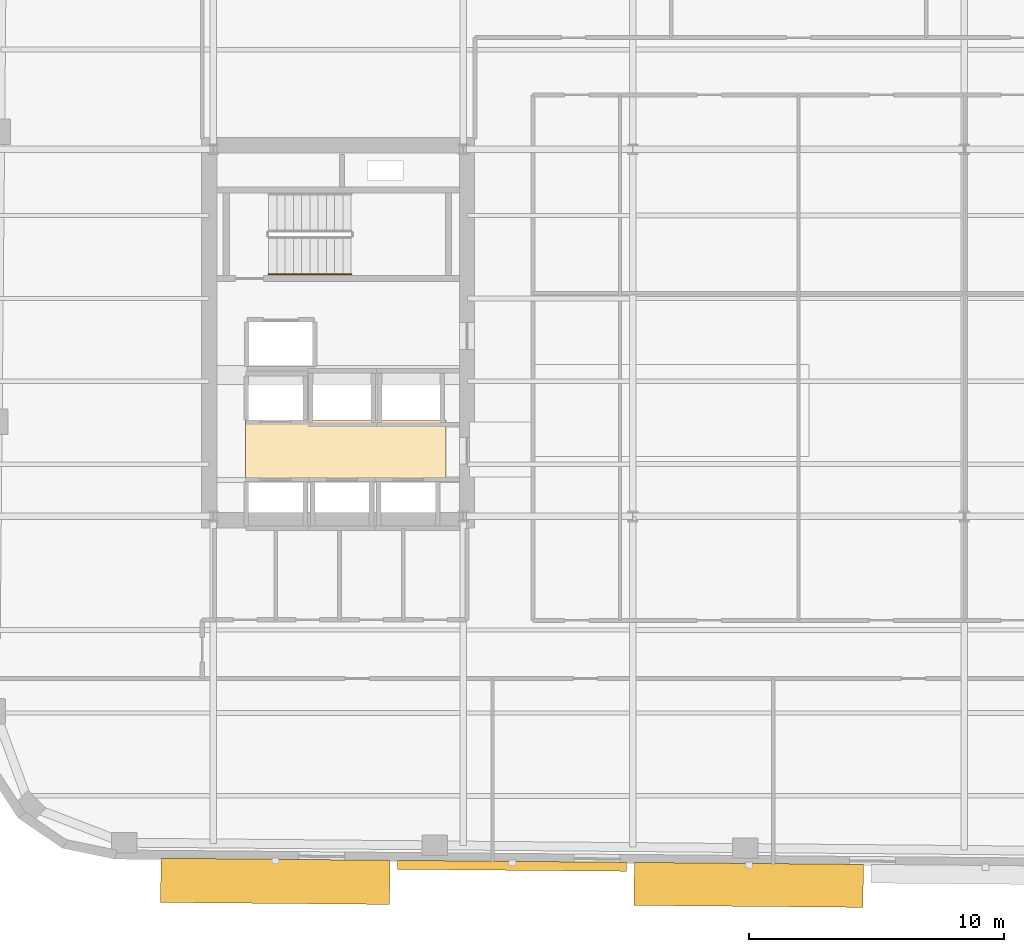
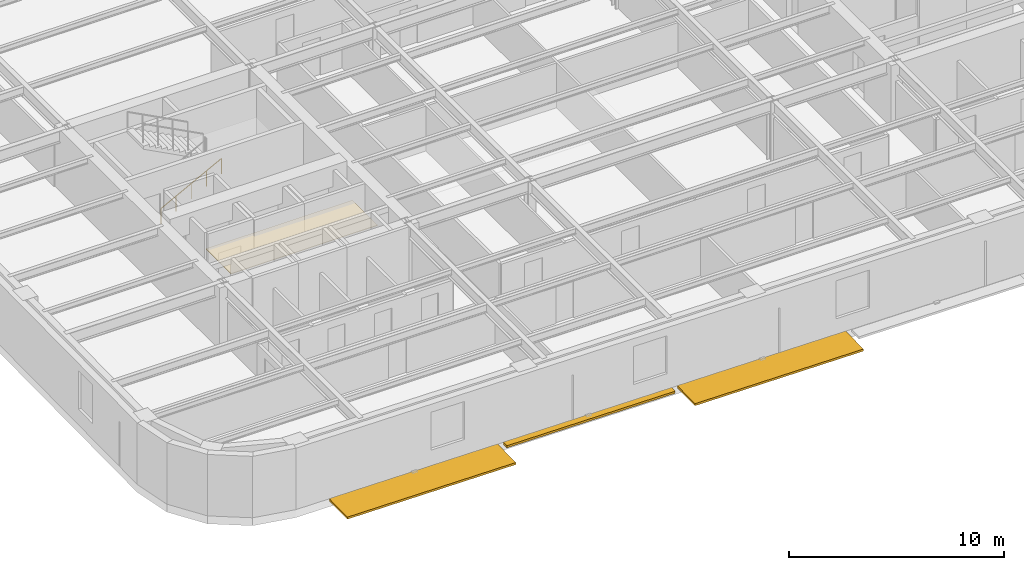
# One storey, part 8 of 11: 3 shading devices, 1 covering, 1 railing.
"""IFC4 building model written with IfcOpenShell, lengths in metres."""

from ifc_helpers import new_model, si_unit, direction, frame, origin, origin_2d, place, context, subcontext, project, spatial, polyline, rectangle, circle, outline, extrude, material, layer, layer_set, type_object, element, save


model = new_model("IFC4")

# Units and contexts
model_context = context("Model", 3, precision=1e-05, world=origin(), true_north=direction((0.0, 1.0)))
body_context = subcontext(model_context, "Body", "Model", "MODEL_VIEW")
ifc_project = project(units=[si_unit("LENGTHUNIT", "METRE"), si_unit("AREAUNIT", "SQUARE_METRE"), si_unit("VOLUMEUNIT", "CUBIC_METRE"), si_unit("PLANEANGLEUNIT", "RADIAN"), si_unit("MASSUNIT", "GRAM", prefix="KILO")], contexts=[model_context])

# Site, building, storey
site_placement = place(None, origin())
site = spatial("IfcSite", under=ifc_project, at=site_placement, CompositionType="ELEMENT")
building_placement = place(site_placement, origin())
building = spatial("IfcBuilding", under=site, at=building_placement, Name="Kolvaren Arena Tower", CompositionType="ELEMENT")
storey_placement = place(building_placement, frame((0.0, 0.0, 158.449951171875)))
storey = spatial("IfcBuildingStorey", under=building, at=storey_placement, Name="L37", CompositionType="ELEMENT", Elevation=158.449951171875)

# Covering
ifc_material_1 = material(Name="Moisture-resistant gypsum ceiling", Category="gypsum")
ifc_layer = layer(ifc_material_1, 0.030029296875)
ifc_layer_set = layer_set([ifc_layer], Name="Moisture-resistant gypsum ceiling")
covering_type = type_object("IfcCoveringType", Name="CEIL-GYP-1", PredefinedType="CEILING", material=ifc_layer_set)
covering_placement = place(storey_placement, frame((0.0, 0.0, 2.52001953125)))
element("IfcCovering", 1, at=covering_placement, inside=storey, type_object=covering_type, Name="Suspended Ceiling (L37)", PredefinedType="CEILING", context=body_context, shape_type="SweptSolid", body=[
    extrude(outline(polyline([(15.820068359375, 20.89990234375), (15.820068359375, 23.239990234375), (23.679931640625, 23.239990234375), (23.679931640625, 20.89990234375), (15.820068359375, 20.89990234375)])), origin(), (0.0, 0.0, 1.0), 0.030029296875),
])

# Railing
ifc_material_2 = material(Name="Brushed stainless steel handrail", Category="steel")
railing_type = type_object("IfcRailingType", Name="HRAIL-900", PredefinedType="HANDRAIL", material=ifc_material_2)
railing_placement = place(storey_placement, frame((16.719970703125, 28.949951171875, 0.17041015625)))
element("IfcRailing", 2, at=railing_placement, inside=storey, type_object=railing_type, Name="L37 ST-W1 stair handrail 1", PredefinedType="HANDRAIL", context=body_context, shape_type="SweptSolid", body=[
    extrude(circle(Radius=0.02392578125, at=origin_2d()), frame((0.0, 0.0, 0.8759765625), z_axis=(0.884993431791, 0.0, 0.465603506952), x_axis=(0.0, 1.0, 0.0)), (0.0, 0.0, 1.0), 3.6611328125),
    extrude(circle(Radius=0.02099609375, at=origin_2d()), origin(), (0.0, 0.0, 1.0), 0.851806640625),
    extrude(circle(Radius=0.02099609375, at=origin_2d()), frame((0.81005859375, 0.0, 0.42626953125)), (0.0, 0.0, 1.0), 0.851806640625),
    extrude(circle(Radius=0.02099609375, at=origin_2d()), frame((1.6201171875, 0.0, 0.852294921875)), (0.0, 0.0, 1.0), 0.851806640625),
    extrude(circle(Radius=0.02099609375, at=origin_2d()), frame((2.429931640625, 0.0, 1.2783203125)), (0.0, 0.0, 1.0), 0.851806640625),
    extrude(circle(Radius=0.02099609375, at=origin_2d()), frame((3.239990234375, 0.0, 1.70458984375)), (0.0, 0.0, 1.0), 0.851806640625),
])

# Shading devices
ifc_material_3 = material(Name="Architectural precast GFRC and anodised aluminium sunshade", Category="concrete")
shading_device_type_1 = type_object("IfcShadingDeviceType", Name="SHAD-SINE-A", PredefinedType="USERDEFINED", material=ifc_material_3)
shading_device_1_placement = place(storey_placement, frame((26.270263671875, 5.754638671875, -0.139892578125), z_axis=(0.0, 0.0, 1.0), x_axis=(-0.999961923064, 0.008726535498, 0.0)))
element("IfcShadingDevice", 3, at=shading_device_1_placement, inside=storey, type_object=shading_device_type_1, Name="Sinusoidal Slab-Edge Sunshade Louvre (L37)", ObjectType="LOUVRE", PredefinedType="USERDEFINED", context=body_context, shape_type="SweptSolid", body=[
    extrude(rectangle(XDim=8.97998046875, YDim=0.3515625, at=origin_2d()), origin(), (0.0, 0.0, 1.0), 0.1201171875),
])
shading_device_type_2 = type_object("IfcShadingDeviceType", Name="SHAD-SINE-B", PredefinedType="JALOUSIE", material=ifc_material_3)
shading_device_2_placement = place(storey_placement, frame((35.544189453125, 5.0068359375, -0.139892578125), z_axis=(0.0, 0.0, 1.0), x_axis=(-0.999961923064, 0.008726535498, 0.0)))
element("IfcShadingDevice", 4, at=shading_device_2_placement, inside=storey, type_object=shading_device_type_2, Name="Sinusoidal Slab-Edge Sunshade Louvre (L37)", PredefinedType="JALOUSIE", context=body_context, shape_type="SweptSolid", body=[
    extrude(rectangle(XDim=8.97998046875, YDim=1.685546875, at=origin_2d()), origin(), (0.0, 0.0, 1.0), 0.1201171875),
])
shading_device_3_placement = place(storey_placement, frame((16.984619140625, 5.1455078125, -0.139892578125), z_axis=(0.0, 0.0, 1.0), x_axis=(-0.999961923064, 0.008726535498, 0.0)))
element("IfcShadingDevice", 5, at=shading_device_3_placement, inside=storey, type_object=shading_device_type_2, Name="Sinusoidal Slab-Edge Sunshade Louvre (L37)", PredefinedType="JALOUSIE", context=body_context, shape_type="SweptSolid", body=[
    extrude(rectangle(XDim=8.97998046875, YDim=1.732177734375, at=origin_2d()), origin(), (0.0, 0.0, 1.0), 0.1201171875),
])

save(model, "model.ifc")
